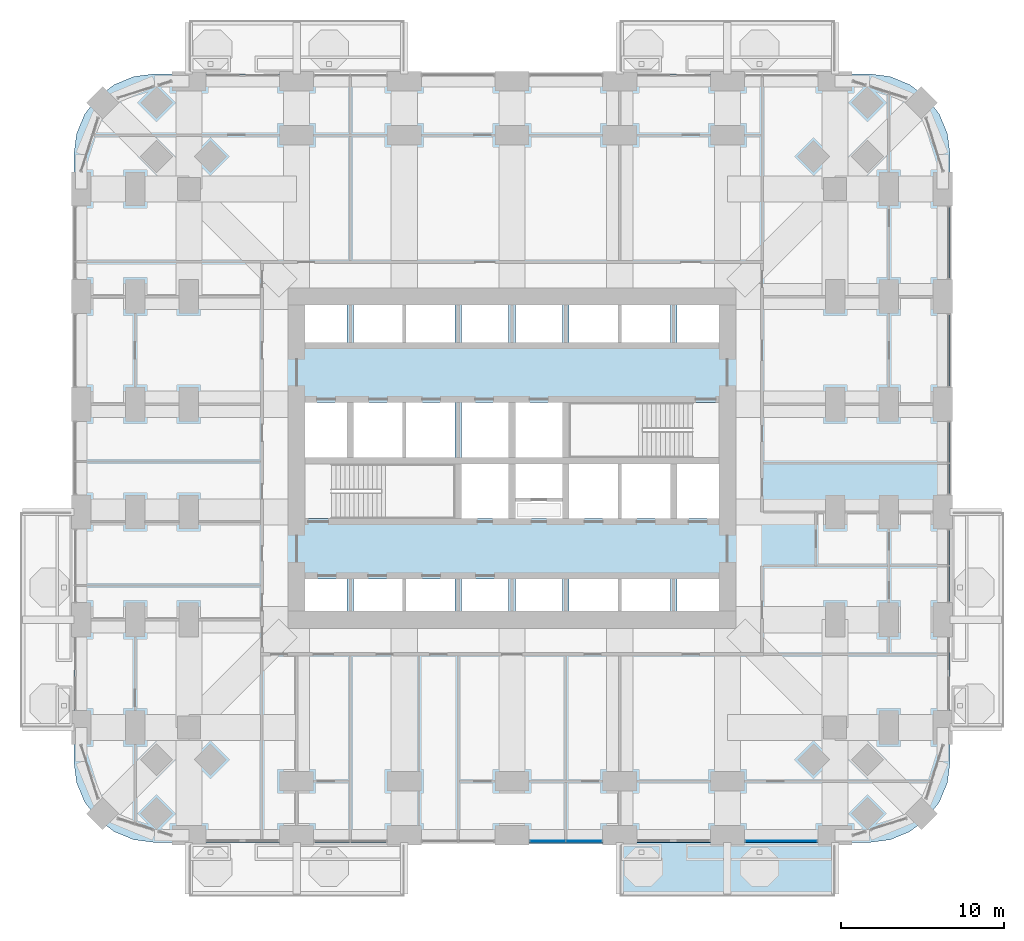
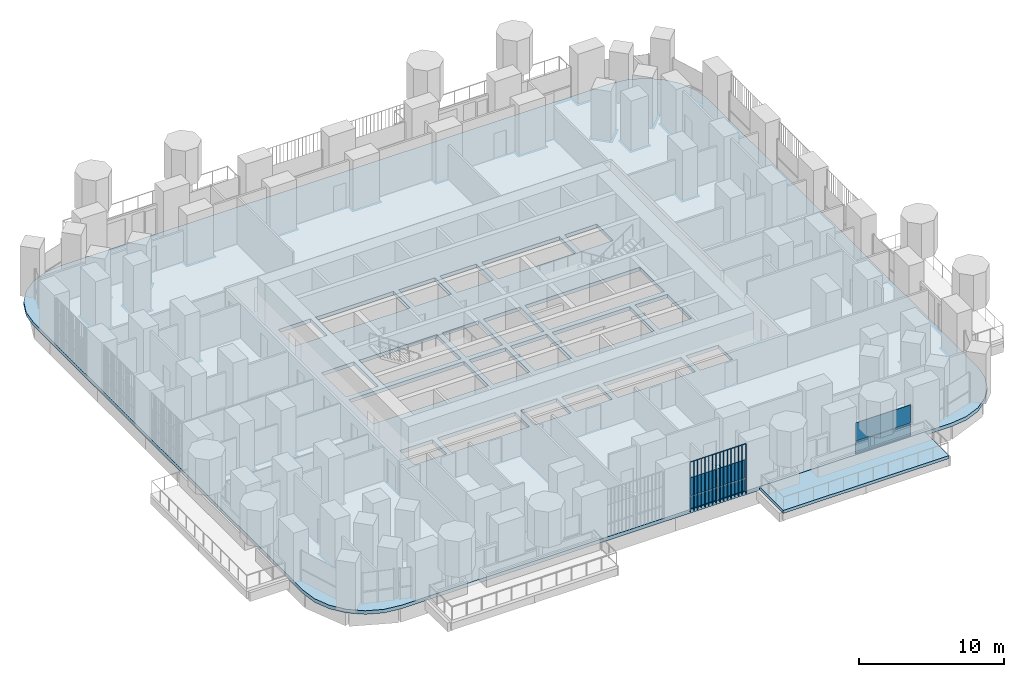
# One storey, part 13 of 27: 7 plates, 2 slabs, 2 elements without a shape of their own.
"""IFC4 building model written with IfcOpenShell, lengths in metres."""

from ifc_helpers import new_model, si_unit, direction, frame, origin, origin_2d, place, context, subcontext, project, spatial, polyline, rectangle, outline, extrude, material, layer, layer_set, type_object, element, aggregate, save


model = new_model("IFC4")

# Units and contexts
model_context = context("Model", 3, precision=1e-05, world=origin(), true_north=direction((0.0, 1.0)))
body_context = subcontext(model_context, "Body", "Model", "MODEL_VIEW")
ifc_project = project(units=[si_unit("LENGTHUNIT", "METRE"), si_unit("AREAUNIT", "SQUARE_METRE"), si_unit("VOLUMEUNIT", "CUBIC_METRE"), si_unit("PLANEANGLEUNIT", "RADIAN"), si_unit("MASSUNIT", "GRAM", prefix="KILO")], contexts=[model_context])

# Site, building, storey
site_placement = place(None, origin())
site = spatial("IfcSite", under=ifc_project, at=site_placement, CompositionType="ELEMENT")
building_placement = place(site_placement, origin())
building = spatial("IfcBuilding", under=site, at=building_placement, Name="Cobogo Forest Laboratory Tower", CompositionType="ELEMENT")
storey_placement = place(building_placement, frame((0.0, 0.0, 63.300048828125)))
storey = spatial("IfcBuildingStorey", under=building, at=storey_placement, Name="L14", CompositionType="ELEMENT", Elevation=63.300048828125)

# Slabs
ifc_material_1 = material(Name="Concrete HA-40 (C40/50)", Category="concrete")
ifc_layer_1 = layer(ifc_material_1, 0.25)
ifc_layer_set_1 = layer_set([ifc_layer_1], Name="Balcony slab 250")
slab_type_1 = type_object("IfcSlabType", Name="Balcony slab 250", PredefinedType="FLOOR", material=ifc_layer_set_1)
slab_1_placement = place(storey_placement, frame((0.0, 0.0, -0.25)))
element("IfcSlab", 1, at=slab_1_placement, inside=storey, type_object=slab_type_1, Name="Balcony BAL-S2 L14", PredefinedType="FLOOR", context=body_context, shape_type="SweptSolid", body=[
    extrude(outline(polyline([(33.0, -3.75), (46.199951171875, -3.75), (46.199951171875, -0.449951171875), (33.0, -0.449951171875), (33.0, -3.75)])), origin(), (0.0, 0.0, 1.0), 0.25),
])
ifc_layer_2 = layer(ifc_material_1, 0.300048828125)
ifc_layer_set_2 = layer_set([ifc_layer_2], Name="Floor slab 300")
slab_type_2 = type_object("IfcSlabType", Name="Floor slab 300", PredefinedType="FLOOR", material=ifc_layer_set_2)
slab_2_placement = place(storey_placement, frame((0.0, 0.0, -0.300048828125)))
element("IfcSlab", 2, at=slab_2_placement, inside=storey, type_object=slab_type_2, Name="L14 floor slab", PredefinedType="FLOOR", context=body_context, shape_type="SweptSolid", body=[
    extrude(outline(polyline([(48.300048828125, -0.449951171875), (49.5810546875, -0.28125), (50.77490234375, 0.213134765625), (51.80029296875, 0.999755859375), (52.5869140625, 2.02490234375), (53.081298828125, 3.21875), (53.25, 4.5), (53.25, 41.699951171875), (53.081298828125, 42.981201171875), (52.5869140625, 44.175048828125), (51.80029296875, 45.2001953125), (50.77490234375, 45.98681640625), (49.5810546875, 46.4814453125), (48.300048828125, 46.64990234375), (4.5, 46.64990234375), (3.21875, 46.4814453125), (2.02490234375, 45.98681640625), (0.999755859375, 45.2001953125), (0.213134765625, 44.175048828125), (-0.28125, 42.981201171875), (-0.449951171875, 41.699951171875), (-0.449951171875, 4.5), (-0.28125, 3.21875), (0.213134765625, 2.02490234375), (0.999755859375, 0.999755859375), (2.02490234375, 0.213134765625), (3.21875, -0.28125), (4.5, -0.449951171875), (48.300048828125, -0.449951171875)]), holes=[polyline([(16.300048828125, 13.72509765625), (13.72509765625, 13.72509765625), (13.72509765625, 15.699951171875), (16.300048828125, 15.699951171875), (16.300048828125, 13.72509765625)]), polyline([(22.89990234375, 15.699951171875), (22.89990234375, 13.72509765625), (16.699951171875, 13.72509765625), (16.699951171875, 15.699951171875), (22.89990234375, 15.699951171875)]), polyline([(23.300048828125, 13.72509765625), (23.300048828125, 15.699951171875), (26.199951171875, 15.699951171875), (26.199951171875, 13.72509765625), (23.300048828125, 13.72509765625)]), polyline([(29.5, 13.72509765625), (26.60009765625, 13.72509765625), (26.60009765625, 15.699951171875), (29.5, 15.699951171875), (29.5, 13.72509765625)]), polyline([(36.10009765625, 15.699951171875), (36.10009765625, 13.72509765625), (29.89990234375, 13.72509765625), (29.89990234375, 15.699951171875), (36.10009765625, 15.699951171875)]), polyline([(36.5, 13.72509765625), (36.5, 15.699951171875), (39.074951171875, 15.699951171875), (39.074951171875, 13.72509765625), (36.5, 13.72509765625)]), polyline([(13.72509765625, 19.39990234375), (13.72509765625, 22.75), (22.89990234375, 22.75), (22.89990234375, 19.39990234375), (13.72509765625, 19.39990234375)]), polyline([(23.300048828125, 19.39990234375), (23.300048828125, 22.75), (26.199951171875, 22.75), (26.199951171875, 19.39990234375), (23.300048828125, 19.39990234375)]), polyline([(26.60009765625, 19.39990234375), (26.60009765625, 22.75), (29.5, 22.75), (29.5, 19.39990234375), (26.60009765625, 19.39990234375)]), polyline([(36.10009765625, 22.75), (36.10009765625, 19.39990234375), (29.89990234375, 19.39990234375), (29.89990234375, 22.75), (36.10009765625, 22.75)]), polyline([(39.074951171875, 19.39990234375), (36.5, 19.39990234375), (36.5, 22.75), (39.074951171875, 22.75), (39.074951171875, 19.39990234375)]), polyline([(13.72509765625, 23.14990234375), (13.72509765625, 26.5), (16.300048828125, 26.5), (16.300048828125, 23.14990234375), (13.72509765625, 23.14990234375)]), polyline([(22.89990234375, 26.5), (22.89990234375, 23.14990234375), (16.699951171875, 23.14990234375), (16.699951171875, 26.5), (22.89990234375, 26.5)]), polyline([(23.300048828125, 23.14990234375), (23.300048828125, 26.5), (26.199951171875, 26.5), (26.199951171875, 23.14990234375), (23.300048828125, 23.14990234375)]), polyline([(26.60009765625, 23.14990234375), (26.60009765625, 26.5), (29.5, 26.5), (29.5, 23.14990234375), (26.60009765625, 23.14990234375)]), polyline([(29.89990234375, 23.14990234375), (29.89990234375, 26.5), (39.074951171875, 26.5), (39.074951171875, 23.14990234375), (29.89990234375, 23.14990234375)]), polyline([(13.72509765625, 30.199951171875), (13.72509765625, 32.47509765625), (16.300048828125, 32.47509765625), (16.300048828125, 30.199951171875), (13.72509765625, 30.199951171875)]), polyline([(22.89990234375, 32.47509765625), (22.89990234375, 30.199951171875), (16.699951171875, 30.199951171875), (16.699951171875, 32.47509765625), (22.89990234375, 32.47509765625)]), polyline([(23.300048828125, 30.199951171875), (23.300048828125, 32.47509765625), (26.199951171875, 32.47509765625), (26.199951171875, 30.199951171875), (23.300048828125, 30.199951171875)]), polyline([(26.60009765625, 30.199951171875), (26.60009765625, 32.47509765625), (29.5, 32.47509765625), (29.5, 30.199951171875), (26.60009765625, 30.199951171875)]), polyline([(36.10009765625, 32.47509765625), (36.10009765625, 30.199951171875), (29.89990234375, 30.199951171875), (29.89990234375, 32.47509765625), (36.10009765625, 32.47509765625)]), polyline([(36.5, 30.199951171875), (36.5, 32.47509765625), (39.074951171875, 32.47509765625), (39.074951171875, 30.199951171875), (36.5, 30.199951171875)])]), origin(), (0.0, 0.0, 1.0), 0.300048828125),
])

# Curtain wall, plates
ifc_material_2 = material(Name="Aluminium curtain wall", Category="aluminium")
curtain_wall_type = type_object("IfcCurtainWallType", Name="CW-1 unitised curtain wall, clear glazing, laboratory floors zones A and B", PredefinedType="USERDEFINED", material=ifc_material_2)
curtain_wall_1_placement = place(storey_placement, origin())
curtain_wall_1 = element("IfcCurtainWall", 3, at=curtain_wall_1_placement, inside=storey, type_object=curtain_wall_type, Name="Curtain wall 04 L14", ObjectType="UNITISED CURTAIN WALL", PredefinedType="USERDEFINED")
ifc_material_3 = material(Name="Clear insulated glass", Category="glass")
ifc_layer_3 = layer(ifc_material_3, 0.028076171875)
ifc_layer_set_3 = layer_set([ifc_layer_3], Name="GP-1 clear insulated glass unit 28")
plate_type_1 = type_object("IfcPlateType", Name="GP-1 clear insulated glass unit 28", PredefinedType="CURTAIN_PANEL", material=ifc_layer_set_3)
plate_1_placement = place(storey_placement, frame((28.590087890625, -0.35009765625, 0.0), z_axis=(0.0, 0.0, 1.0), x_axis=(1.0, 0.0, 0.0)))
plate_1 = element("IfcPlate", 4, at=plate_1_placement, type_object=plate_type_1, Name="CW-1 panel 1.1", PredefinedType="CURTAIN_PANEL", context=body_context, shape_type="SweptSolid", body=[
    extrude(rectangle(XDim=2.159912109375, YDim=0.028076171875, at=origin_2d()), origin(), (0.0, 0.0, 1.0), 1.02001953125),
])
plate_2_placement = place(storey_placement, frame((28.590087890625, -0.35009765625, 1.079833984375), z_axis=(0.0, 0.0, 1.0), x_axis=(1.0, 0.0, 0.0)))
plate_2 = element("IfcPlate", 5, at=plate_2_placement, type_object=plate_type_1, Name="CW-1 panel 1.2", PredefinedType="CURTAIN_PANEL", context=body_context, shape_type="SweptSolid", body=[
    extrude(rectangle(XDim=2.159912109375, YDim=0.028076171875, at=origin_2d()), origin(), (0.0, 0.0, 1.0), 1.52001953125),
])
plate_3_placement = place(storey_placement, frame((30.81005859375, -0.35009765625, 0.0), z_axis=(0.0, 0.0, 1.0), x_axis=(1.0, 0.0, 0.0)))
plate_3 = element("IfcPlate", 6, at=plate_3_placement, type_object=plate_type_1, Name="CW-1 panel 2.1", PredefinedType="CURTAIN_PANEL", context=body_context, shape_type="SweptSolid", body=[
    extrude(rectangle(XDim=2.159912109375, YDim=0.028076171875, at=origin_2d()), origin(), (0.0, 0.0, 1.0), 1.02001953125),
])
plate_4_placement = place(storey_placement, frame((30.81005859375, -0.35009765625, 1.079833984375), z_axis=(0.0, 0.0, 1.0), x_axis=(1.0, 0.0, 0.0)))
plate_4 = element("IfcPlate", 7, at=plate_4_placement, type_object=plate_type_1, Name="CW-1 panel 2.2", PredefinedType="CURTAIN_PANEL", context=body_context, shape_type="SweptSolid", body=[
    extrude(rectangle(XDim=2.159912109375, YDim=0.028076171875, at=origin_2d()), origin(), (0.0, 0.0, 1.0), 1.52001953125),
])
aggregate(curtain_wall_1, [plate_1, plate_2, plate_3, plate_4])

curtain_wall_2_placement = place(storey_placement, origin())
curtain_wall_2 = element("IfcCurtainWall", 8, at=curtain_wall_2_placement, inside=storey, type_object=curtain_wall_type, Name="Curtain wall 06 L14", ObjectType="UNITISED CURTAIN WALL", PredefinedType="USERDEFINED")
plate_5_placement = place(storey_placement, frame((42.89990234375, -0.35009765625, 0.0), z_axis=(0.0, 0.0, 1.0), x_axis=(1.0, 0.0, 0.0)))
plate_5 = element("IfcPlate", 9, at=plate_5_placement, type_object=plate_type_1, Name="CW-1 panel 1.1", PredefinedType="CURTAIN_PANEL", context=body_context, shape_type="SweptSolid", body=[
    extrude(rectangle(XDim=4.3798828125, YDim=0.028076171875, at=origin_2d()), origin(), (0.0, 0.0, 1.0), 1.02001953125),
])
plate_6_placement = place(storey_placement, frame((42.89990234375, -0.35009765625, 1.079833984375), z_axis=(0.0, 0.0, 1.0), x_axis=(1.0, 0.0, 0.0)))
plate_6 = element("IfcPlate", 10, at=plate_6_placement, type_object=plate_type_1, Name="CW-1 panel 1.2", PredefinedType="CURTAIN_PANEL", context=body_context, shape_type="SweptSolid", body=[
    extrude(rectangle(XDim=4.3798828125, YDim=0.028076171875, at=origin_2d()), origin(), (0.0, 0.0, 1.0), 1.52001953125),
])
aggregate(curtain_wall_2, [plate_5, plate_6])

# Plate
ifc_material_4 = material(Name="Terracotta", Category="masonry")
plate_type_2 = type_object("IfcPlateType", Name="TB1 terracotta baguette screen", PredefinedType="USERDEFINED", material=ifc_material_4)
plate_7_placement = place(storey_placement, frame((27.481201171875, -0.477783203125, -0.150146484375)))
element("IfcPlate", 11, at=plate_7_placement, inside=storey, type_object=plate_type_2, Name="Baguette screen S4 L14", ObjectType="BAGUETTE SCREEN", PredefinedType="USERDEFINED", context=body_context, shape_type="SweptSolid", body=[
    extrude(outline(polyline([(0.02880859375, 0.011962890625), (0.011962890625, 0.02880859375), (-0.011962890625, 0.02880859375), (-0.02880859375, 0.011962890625), (-0.02880859375, -0.011962890625), (-0.011962890625, -0.02880859375), (0.011962890625, -0.02880859375), (0.02880859375, -0.011962890625), (0.02880859375, 0.011962890625)])), frame((0.0, 0.0, 4.168701171875), z_axis=(1.0, 0.0, 0.0), x_axis=(0.0, 1.0, 0.0)), (0.0, 0.0, 1.0), 4.4375),
    extrude(outline(polyline([(0.02880859375, 0.011962890625), (0.011962890625, 0.02880859375), (-0.011962890625, 0.02880859375), (-0.02880859375, 0.011962890625), (-0.02880859375, -0.011962890625), (-0.011962890625, -0.02880859375), (0.011962890625, -0.02880859375), (0.02880859375, -0.011962890625), (0.02880859375, 0.011962890625)])), origin(), (0.0, 0.0, 1.0), 4.137451171875),
    extrude(outline(polyline([(0.02880859375, 0.011962890625), (0.011962890625, 0.02880859375), (-0.011962890625, 0.02880859375), (-0.02880859375, 0.011962890625), (-0.02880859375, -0.011962890625), (-0.011962890625, -0.02880859375), (0.011962890625, -0.02880859375), (0.02880859375, -0.011962890625), (0.02880859375, 0.011962890625)])), frame((0.2958984375, 0.0, 0.0)), (0.0, 0.0, 1.0), 4.137451171875),
    extrude(outline(polyline([(0.02880859375, 0.011962890625), (0.011962890625, 0.02880859375), (-0.011962890625, 0.02880859375), (-0.02880859375, 0.011962890625), (-0.02880859375, -0.011962890625), (-0.011962890625, -0.02880859375), (0.011962890625, -0.02880859375), (0.02880859375, -0.011962890625), (0.02880859375, 0.011962890625)])), frame((0.591552734375, 0.0, 0.0)), (0.0, 0.0, 1.0), 4.137451171875),
    extrude(outline(polyline([(0.02880859375, 0.011962890625), (0.011962890625, 0.02880859375), (-0.011962890625, 0.02880859375), (-0.02880859375, 0.011962890625), (-0.02880859375, -0.011962890625), (-0.011962890625, -0.02880859375), (0.011962890625, -0.02880859375), (0.02880859375, -0.011962890625), (0.02880859375, 0.011962890625)])), frame((0.887451171875, 0.0, 0.0)), (0.0, 0.0, 1.0), 4.137451171875),
    extrude(outline(polyline([(0.02880859375, 0.011962890625), (0.011962890625, 0.02880859375), (-0.011962890625, 0.02880859375), (-0.02880859375, 0.011962890625), (-0.02880859375, -0.011962890625), (-0.011962890625, -0.02880859375), (0.011962890625, -0.02880859375), (0.02880859375, -0.011962890625), (0.02880859375, 0.011962890625)])), frame((1.183349609375, 0.0, 0.0)), (0.0, 0.0, 1.0), 4.137451171875),
    extrude(outline(polyline([(0.02880859375, 0.011962890625), (0.011962890625, 0.02880859375), (-0.011962890625, 0.02880859375), (-0.02880859375, 0.011962890625), (-0.02880859375, -0.011962890625), (-0.011962890625, -0.02880859375), (0.011962890625, -0.02880859375), (0.02880859375, -0.011962890625), (0.02880859375, 0.011962890625)])), frame((1.479248046875, 0.0, 0.0)), (0.0, 0.0, 1.0), 4.137451171875),
    extrude(outline(polyline([(0.02880859375, 0.011962890625), (0.011962890625, 0.02880859375), (-0.011962890625, 0.02880859375), (-0.02880859375, 0.011962890625), (-0.02880859375, -0.011962890625), (-0.011962890625, -0.02880859375), (0.011962890625, -0.02880859375), (0.02880859375, -0.011962890625), (0.02880859375, 0.011962890625)])), frame((1.77490234375, 0.0, 0.0)), (0.0, 0.0, 1.0), 4.137451171875),
    extrude(outline(polyline([(0.02880859375, 0.011962890625), (0.011962890625, 0.02880859375), (-0.011962890625, 0.02880859375), (-0.02880859375, 0.011962890625), (-0.02880859375, -0.011962890625), (-0.011962890625, -0.02880859375), (0.011962890625, -0.02880859375), (0.02880859375, -0.011962890625), (0.02880859375, 0.011962890625)])), frame((2.07080078125, 0.0, 0.0)), (0.0, 0.0, 1.0), 4.137451171875),
    extrude(outline(polyline([(0.02880859375, 0.011962890625), (0.011962890625, 0.02880859375), (-0.011962890625, 0.02880859375), (-0.02880859375, 0.011962890625), (-0.02880859375, -0.011962890625), (-0.011962890625, -0.02880859375), (0.011962890625, -0.02880859375), (0.02880859375, -0.011962890625), (0.02880859375, 0.011962890625)])), frame((2.36669921875, 0.0, 0.0)), (0.0, 0.0, 1.0), 4.137451171875),
    extrude(outline(polyline([(0.02880859375, 0.011962890625), (0.011962890625, 0.02880859375), (-0.011962890625, 0.02880859375), (-0.02880859375, 0.011962890625), (-0.02880859375, -0.011962890625), (-0.011962890625, -0.02880859375), (0.011962890625, -0.02880859375), (0.02880859375, -0.011962890625), (0.02880859375, 0.011962890625)])), frame((2.66259765625, 0.0, 0.0)), (0.0, 0.0, 1.0), 4.137451171875),
    extrude(outline(polyline([(0.02880859375, 0.011962890625), (0.011962890625, 0.02880859375), (-0.011962890625, 0.02880859375), (-0.02880859375, 0.011962890625), (-0.02880859375, -0.011962890625), (-0.011962890625, -0.02880859375), (0.011962890625, -0.02880859375), (0.02880859375, -0.011962890625), (0.02880859375, 0.011962890625)])), frame((2.958251953125, 0.0, 0.0)), (0.0, 0.0, 1.0), 4.137451171875),
    extrude(outline(polyline([(0.02880859375, 0.011962890625), (0.011962890625, 0.02880859375), (-0.011962890625, 0.02880859375), (-0.02880859375, 0.011962890625), (-0.02880859375, -0.011962890625), (-0.011962890625, -0.02880859375), (0.011962890625, -0.02880859375), (0.02880859375, -0.011962890625), (0.02880859375, 0.011962890625)])), frame((3.254150390625, 0.0, 0.0)), (0.0, 0.0, 1.0), 4.137451171875),
    extrude(outline(polyline([(0.02880859375, 0.011962890625), (0.011962890625, 0.02880859375), (-0.011962890625, 0.02880859375), (-0.02880859375, 0.011962890625), (-0.02880859375, -0.011962890625), (-0.011962890625, -0.02880859375), (0.011962890625, -0.02880859375), (0.02880859375, -0.011962890625), (0.02880859375, 0.011962890625)])), frame((3.550048828125, 0.0, 0.0)), (0.0, 0.0, 1.0), 4.137451171875),
    extrude(outline(polyline([(0.02880859375, 0.011962890625), (0.011962890625, 0.02880859375), (-0.011962890625, 0.02880859375), (-0.02880859375, 0.011962890625), (-0.02880859375, -0.011962890625), (-0.011962890625, -0.02880859375), (0.011962890625, -0.02880859375), (0.02880859375, -0.011962890625), (0.02880859375, 0.011962890625)])), frame((3.845947265625, 0.0, 0.0)), (0.0, 0.0, 1.0), 4.137451171875),
    extrude(outline(polyline([(0.02880859375, 0.011962890625), (0.011962890625, 0.02880859375), (-0.011962890625, 0.02880859375), (-0.02880859375, 0.011962890625), (-0.02880859375, -0.011962890625), (-0.011962890625, -0.02880859375), (0.011962890625, -0.02880859375), (0.02880859375, -0.011962890625), (0.02880859375, 0.011962890625)])), frame((4.1416015625, 0.0, 0.0)), (0.0, 0.0, 1.0), 4.137451171875),
    extrude(outline(polyline([(0.02880859375, 0.011962890625), (0.011962890625, 0.02880859375), (-0.011962890625, 0.02880859375), (-0.02880859375, 0.011962890625), (-0.02880859375, -0.011962890625), (-0.011962890625, -0.02880859375), (0.011962890625, -0.02880859375), (0.02880859375, -0.011962890625), (0.02880859375, 0.011962890625)])), frame((4.4375, 0.0, 0.0)), (0.0, 0.0, 1.0), 4.137451171875),
])

save(model, "model.ifc")
